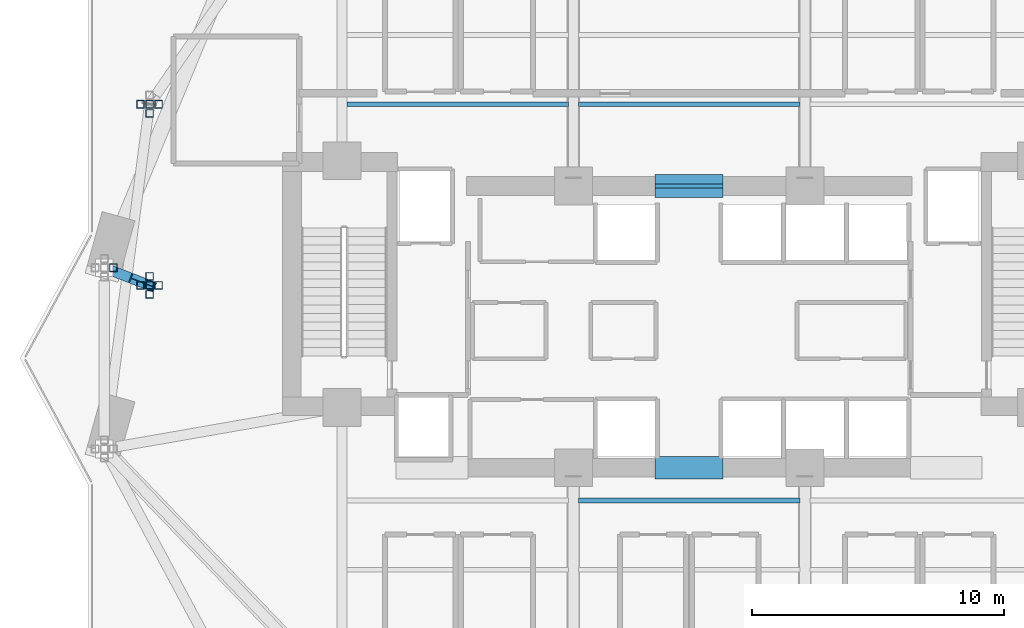
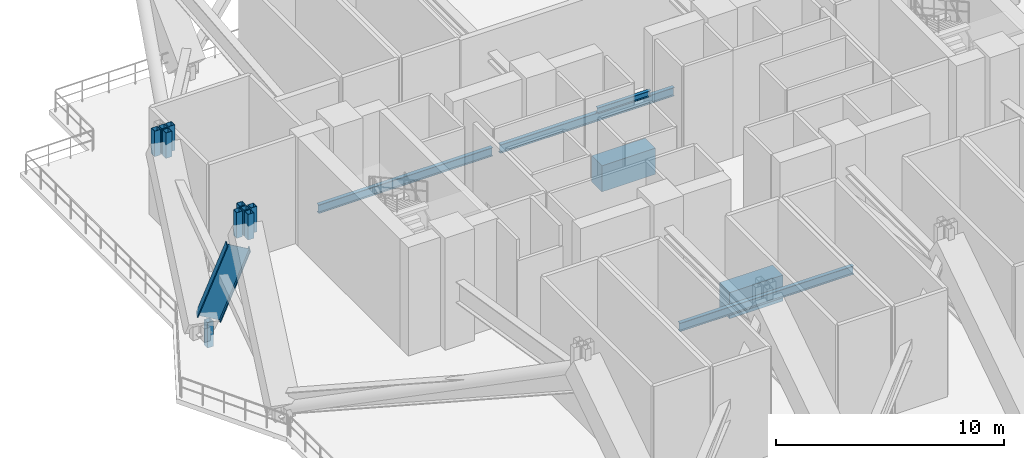
# One storey, part 3 of 18: 10 members, 7 beams.
"""IFC4 building model written with IfcOpenShell, lengths in metres."""

from ifc_helpers import new_model, si_unit, direction, frame, origin, origin_2d, place, context, subcontext, project, spatial, rectangle, hollow_rectangle, i_section, extrude, material, material_profile, profile_set, type_object, element, save


model = new_model("IFC4")

# Units and contexts
model_context = context("Model", 3, precision=1e-05, world=origin(), true_north=direction((0.0, 1.0)))
body_context = subcontext(model_context, "Body", "Model", "MODEL_VIEW")
ifc_project = project(units=[si_unit("LENGTHUNIT", "METRE"), si_unit("AREAUNIT", "SQUARE_METRE"), si_unit("VOLUMEUNIT", "CUBIC_METRE"), si_unit("PLANEANGLEUNIT", "RADIAN"), si_unit("MASSUNIT", "GRAM", prefix="KILO")], contexts=[model_context])

# Site, building, storey
site_placement = place(None, origin())
site = spatial("IfcSite", under=ifc_project, at=site_placement, CompositionType="ELEMENT")
building_placement = place(site_placement, origin())
building = spatial("IfcBuilding", under=site, at=building_placement, Name="Zuhayl Quay Hotel", CompositionType="ELEMENT")
storey_placement = place(building_placement, frame((0.0, 0.0, 162.199951171875)))
storey = spatial("IfcBuildingStorey", under=building, at=storey_placement, Name="L41", CompositionType="ELEMENT", Elevation=162.199951171875)

# Beams
ifc_material_1 = material(Name="Concrete C60/75", Category="concrete")
ifc_material_profile_1 = material_profile(ifc_material_1, rectangle(XDim=0.89990234375, YDim=1.39990234375, at=origin_2d()), Name="RC900X1400")
ifc_profile_set_1 = profile_set([ifc_material_profile_1], Name="Concrete C60/75")
beam_type_1 = type_object("IfcBeamType", Name="BM_CB1_RC900", PredefinedType="T_BEAM", material=ifc_profile_set_1)
for number, where, z_axis, x_axis, name in (
    (1, (-1.35009765625, 13.35009765625, -0.9599609375), (1.0, 0.0, 0.0), (0.0, 1.0, 0.0), "L41 Core Coupling Beam North"),
    (2, (-1.35009765625, 2.14990234375, -0.9599609375), (1.0, 0.0, 0.0), (0.0, 1.0, 0.0), "L41 Core Coupling Beam South"),
):
    element("IfcBeam", number, at=place(storey_placement, frame(where, z_axis=z_axis, x_axis=x_axis)), inside=storey, type_object=beam_type_1, Name=name, PredefinedType="T_BEAM", context=body_context, shape_type="SweptSolid", body=[
        extrude(rectangle(XDim=0.89990234375, YDim=1.39990234375, at=origin_2d()), origin(), (0.0, 0.0, 1.0), 2.7001953125),
    ])
ifc_material_2 = material(Name="Steel ASTM A992 Grade 50", Category="steel")
ifc_material_profile_2 = material_profile(ifc_material_2, i_section(OverallWidth=0.18994140625, OverallDepth=0.45703125, WebThickness=0.009033203125, FlangeThickness=0.014404296875, at=origin_2d()), Name="W18X50")
ifc_profile_set_2 = profile_set([ifc_material_profile_2], Name="Steel ASTM A992 Grade 50")
beam_type_2 = type_object("IfcBeamType", Name="BM_J2_W18X50", PredefinedType="JOIST", material=ifc_profile_set_2)
for number, where, z_axis, x_axis, name in (
    (3, (-13.60595703125, 16.60009765625, -0.488525390625), (1.0, 0.0, 0.0), (0.0, 1.0, 0.0), "L41 Floor Beam FJ_L41_1_1"),
    (4, (-4.406005859375, 16.60009765625, -0.488525390625), (1.0, 0.0, 0.0), (0.0, 1.0, 0.0), "L41 Floor Beam FJ_L41_1_2"),
    (5, (-4.406005859375, 0.85009765625, -0.488525390625), (1.0, 0.0, 0.0), (0.0, 1.0, 0.0), "L41 Floor Beam FJ_L41_9_2"),
):
    element("IfcBeam", number, at=place(storey_placement, frame(where, z_axis=z_axis, x_axis=x_axis)), inside=storey, type_object=beam_type_2, Name=name, PredefinedType="JOIST", context=body_context, shape_type="SweptSolid", body=[
        extrude(i_section(OverallWidth=0.18994140625, OverallDepth=0.45703125, WebThickness=0.009033203125, FlangeThickness=0.014404296875, at=origin_2d()), origin(), (0.0, 0.0, 1.0), 8.81201171875),
    ])
ifc_material_profile_3 = material_profile(ifc_material_2, i_section(OverallWidth=0.1650390625, OverallDepth=0.31005859375, WebThickness=0.005859375, FlangeThickness=0.009765625, at=origin_2d()), Name="W12X26")
ifc_profile_set_3 = profile_set([ifc_material_profile_3], Name="Steel ASTM A992 Grade 50")
beam_type_3 = type_object("IfcBeamType", Name="BM_LN1_W12X26", PredefinedType="LINTEL", material=ifc_profile_set_3)
beam_1_placement = place(storey_placement, frame((-1.35009765625, 13.35009765625, 2.449951171875), z_axis=(1.0, 0.0, 0.0), x_axis=(0.0, 1.0, 0.0)))
element("IfcBeam", 6, at=beam_1_placement, inside=storey, type_object=beam_type_3, Name="L41 Core Portal Header Steel Lintel LN1-7", PredefinedType="LINTEL", context=body_context, shape_type="SweptSolid", body=[
    extrude(i_section(OverallWidth=0.1650390625, OverallDepth=0.31005859375, WebThickness=0.005859375, FlangeThickness=0.009765625, at=origin_2d()), origin(), (0.0, 0.0, 1.0), 2.7001953125),
])
ifc_material_3 = material(Name="Steel ASTM A913 Grade 65", Category="steel")
ifc_material_profile_4 = material_profile(ifc_material_3, i_section(OverallWidth=0.404052734375, OverallDepth=1.117919921875, WebThickness=0.026123046875, FlangeThickness=0.044921875, at=origin_2d()), Name="W44X335")
ifc_profile_set_4 = profile_set([ifc_material_profile_4], Name="Steel ASTM A913 Grade 65")
beam_type_4 = type_object("IfcBeamType", Name="BM_TG1_W44X335", PredefinedType="BEAM", material=ifc_profile_set_4)
beam_2_placement = place(storey_placement, frame((-22.970458984375, 9.9912109375, 0.949951171875), z_axis=(0.31785357594, -0.123564561491, 0.940053670492), x_axis=(0.362331224493, 0.932049399848, 0.0)))
element("IfcBeam", 7, at=beam_2_placement, inside=storey, type_object=beam_type_4, Name="L41 Wind-Floor Inclined Belt Girder 11", PredefinedType="BEAM", context=body_context, shape_type="SweptSolid", body=[
    extrude(i_section(OverallWidth=0.404052734375, OverallDepth=1.117919921875, WebThickness=0.026123046875, FlangeThickness=0.044921875, at=origin_2d()), origin(), (0.0, 0.0, 1.0), 3.904296875),
])

# Members
ifc_material_4 = material(Name="Steel ASTM A500 Grade C", Category="steel")
ifc_material_profile_5 = material_profile(ifc_material_4, hollow_rectangle(XDim=0.300048828125, YDim=0.300048828125, WallThickness=0.012451171875, at=origin_2d()), Name="HSS300X300X12")
ifc_profile_set_5 = profile_set([ifc_material_profile_5], Name="Steel ASTM A500 Grade C")
member_type = type_object("IfcMemberType", Name="MB_CR_BRACE_HSS300", PredefinedType="BRACE", material=ifc_profile_set_5)
for number, where, z_axis, x_axis, name in (
    (8, (-21.449951171875, 9.39990234375, 5.280029296875), (0.0, 0.0, 1.0), (1.0, 0.0, 0.0), "L41 Mega-Column Upper Knuckle Leg MC_W1-1"),
    (9, (-21.449951171875, 9.760009765625, 5.280029296875), (0.0, 0.0, 1.0), (1.0, 0.0, 0.0), "L41 Mega-Column Upper Knuckle Leg MC_W1-2"),
    (10, (-21.449951171875, 9.0400390625, 5.280029296875), (0.0, 0.0, 1.0), (1.0, 0.0, 0.0), "L41 Mega-Column Upper Knuckle Leg MC_W1-3"),
    (11, (-21.090087890625, 9.39990234375, 5.280029296875), (0.0, 0.0, 1.0), (1.0, 0.0, 0.0), "L41 Mega-Column Upper Knuckle Leg MC_W1-4"),
    (12, (-21.81005859375, 9.39990234375, 5.280029296875), (0.0, 0.0, 1.0), (1.0, 0.0, 0.0), "L41 Mega-Column Upper Knuckle Leg MC_W1-5"),
    (13, (-21.449951171875, 16.60009765625, 5.280029296875), (0.0, 0.0, 1.0), (1.0, 0.0, 0.0), "L41 Mega-Column Upper Knuckle Leg MC_W2-1"),
    (14, (-21.449951171875, 16.239990234375, 5.280029296875), (0.0, 0.0, 1.0), (1.0, 0.0, 0.0), "L41 Mega-Column Upper Knuckle Leg MC_W2-3"),
):
    element("IfcMember", number, at=place(storey_placement, frame(where, z_axis=z_axis, x_axis=x_axis)), inside=storey, type_object=member_type, Name=name, PredefinedType="STRUT", context=body_context, shape_type="SweptSolid", body=[
        extrude(hollow_rectangle(XDim=0.300048828125, YDim=0.300048828125, WallThickness=0.012451171875, at=origin_2d()), origin(), (0.0, 0.0, 1.0), 1.3701171875),
    ])
member_placement = place(storey_placement, frame((-22.889892578125, 10.10009765625, -0.64990234375), z_axis=(0.0, 0.0, 1.0), x_axis=(1.0, 0.0, 0.0)))
element("IfcMember", 15, at=member_placement, inside=storey, type_object=member_type, Name="L41 Mega-Column Lower Knuckle Leg MC_W2-4", PredefinedType="STRUT", context=body_context, shape_type="SweptSolid", body=[
    extrude(hollow_rectangle(XDim=0.300048828125, YDim=0.300048828125, WallThickness=0.012451171875, at=origin_2d()), origin(), (0.0, 0.0, 1.0), 1.369873046875),
])
for number, where, z_axis, x_axis, name in (
    (16, (-21.090087890625, 16.60009765625, 5.280029296875), (0.0, 0.0, 1.0), (1.0, 0.0, 0.0), "L41 Mega-Column Upper Knuckle Leg MC_W2-4"),
    (17, (-21.81005859375, 16.60009765625, 5.280029296875), (0.0, 0.0, 1.0), (1.0, 0.0, 0.0), "L41 Mega-Column Upper Knuckle Leg MC_W2-5"),
):
    element("IfcMember", number, at=place(storey_placement, frame(where, z_axis=z_axis, x_axis=x_axis)), inside=storey, type_object=member_type, Name=name, PredefinedType="STRUT", context=body_context, shape_type="SweptSolid", body=[
        extrude(hollow_rectangle(XDim=0.300048828125, YDim=0.300048828125, WallThickness=0.012451171875, at=origin_2d()), origin(), (0.0, 0.0, 1.0), 1.3701171875),
    ])

save(model, "model.ifc")
